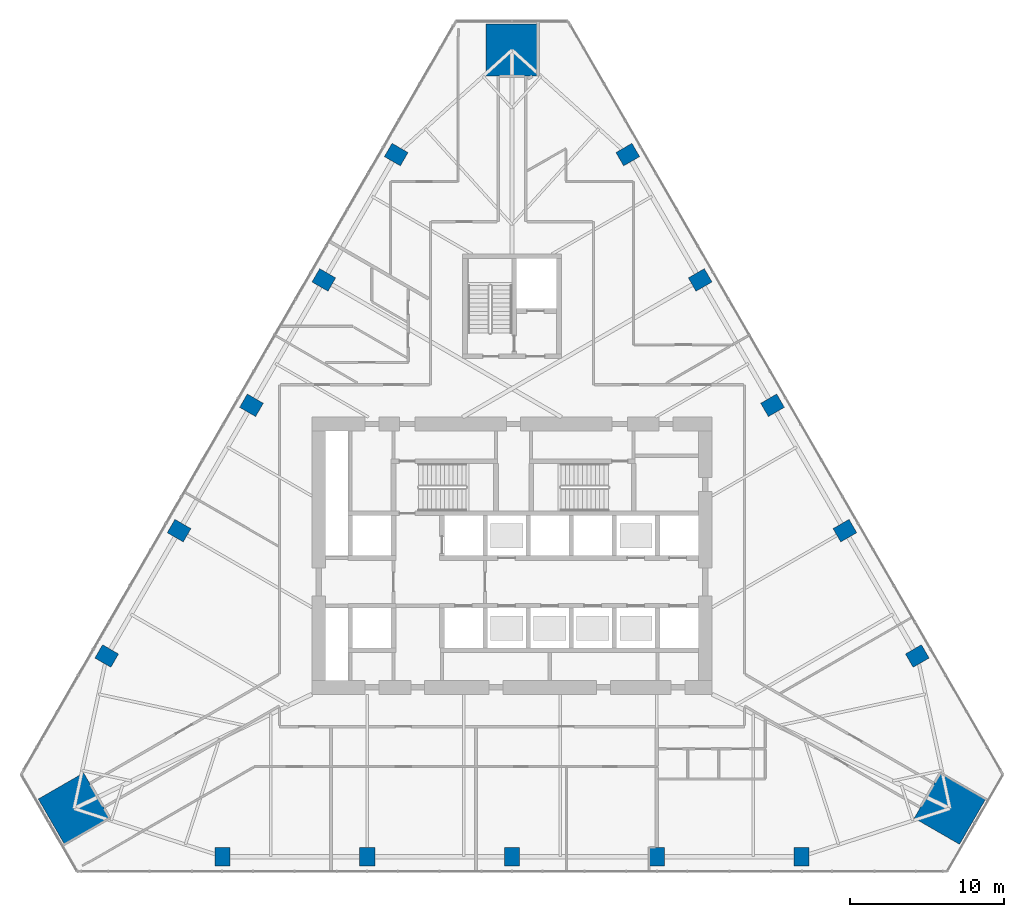
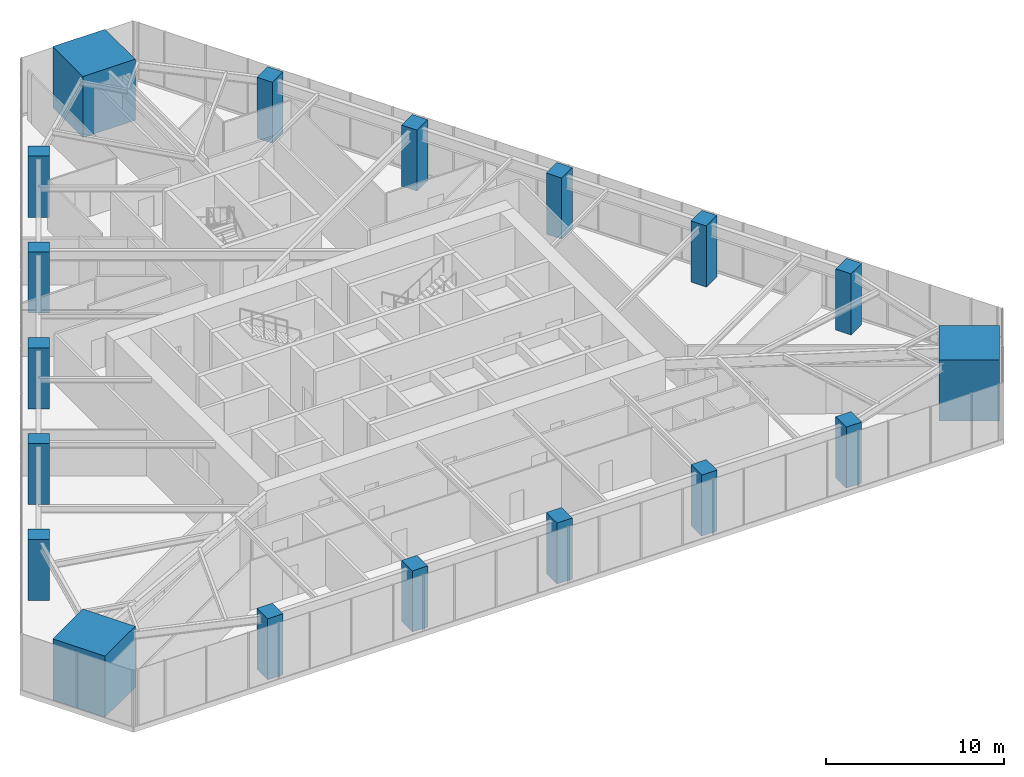
# One storey, part 1 of 21: 18 columns.
"""IFC4 building model written with IfcOpenShell, lengths in metres."""

from ifc_helpers import new_model, si_unit, direction, frame, origin, origin_2d, place, context, subcontext, project, spatial, rectangle, extrude, material, material_profile, profile_set, type_object, element, save


model = new_model("IFC4")

# Units and contexts
model_context = context("Model", 3, precision=1e-05, world=origin(), true_north=direction((0.0, 1.0)))
body_context = subcontext(model_context, "Body", "Model", "MODEL_VIEW")
ifc_project = project(units=[si_unit("LENGTHUNIT", "METRE"), si_unit("AREAUNIT", "SQUARE_METRE"), si_unit("VOLUMEUNIT", "CUBIC_METRE"), si_unit("PLANEANGLEUNIT", "RADIAN"), si_unit("MASSUNIT", "GRAM", prefix="KILO")], contexts=[model_context])

# Site, building, storey
site_placement = place(None, origin())
site = spatial("IfcSite", under=ifc_project, at=site_placement, CompositionType="ELEMENT")
building_placement = place(site_placement, origin())
building = spatial("IfcBuilding", under=site, at=building_placement, Name="Firuza Gate Tower and Library", CompositionType="ELEMENT")
storey_placement = place(building_placement, frame((0.0, 0.0, 94.60009765625)))
storey = spatial("IfcBuildingStorey", under=building, at=storey_placement, Name="L21", CompositionType="ELEMENT", Elevation=94.60009765625)

# Columns
ifc_material_1 = material(Name="Concrete C80/95", Category="concrete")
ifc_material_profile_1 = material_profile(ifc_material_1, rectangle(XDim=3.39990234375, YDim=3.39990234375, at=origin_2d()))
ifc_profile_set_1 = profile_set([ifc_material_profile_1], Name="Concrete C80/95")
column_type_1 = type_object("IfcColumnType", Name="Mega column 3400x3400 C80/95", PredefinedType="COLUMN", material=ifc_profile_set_1)
for number, where, z_axis, x_axis, name in (
    (1, (103.451171875, 58.57373046875, 0.0), (0.0, 0.0, 1.0), (0.5, 0.866025403784, 0.0), "Mega column SE L21"),
    (2, (75.0, 107.852783203125, 0.0), (0.0, 0.0, 1.0), (-1.0, 0.0, 0.0), "Mega column N L21"),
    (3, (46.548828125, 58.57373046875, 0.0), (0.0, 0.0, 1.0), (0.5, -0.866025403784, 0.0), "Mega column SW L21"),
):
    element("IfcColumn", number, at=place(storey_placement, frame(where, z_axis=z_axis, x_axis=x_axis)), inside=storey, type_object=column_type_1, Name=name, PredefinedType="COLUMN", context=body_context, shape_type="SweptSolid", body=[
        extrude(rectangle(XDim=3.39990234375, YDim=3.39990234375, at=origin_2d()), origin(), (0.0, 0.0, 1.0), 4.199951171875),
    ])
ifc_material_2 = material(Name="Concrete C60/75", Category="concrete")
ifc_material_profile_2 = material_profile(ifc_material_2, rectangle(XDim=1.0, YDim=1.199951171875, at=origin_2d()))
ifc_profile_set_2 = profile_set([ifc_material_profile_2], Name="Concrete C60/75")
column_type_2 = type_object("IfcColumnType", Name="Perimeter column 1000x1200 C60/75", PredefinedType="COLUMN", material=ifc_profile_set_2)
for number, where, z_axis, x_axis, name in (
    (4, (56.193359375, 55.4560546875, -0.00048828125), (0.0, 0.0, 1.0), (1.0, 0.0, 0.0), "Column S1 L21"),
    (5, (65.5966796875, 55.4560546875, -0.00048828125), (0.0, 0.0, 1.0), (1.0, 0.0, 0.0), "Column S2 L21"),
    (6, (75.0, 55.4560546875, -0.00048828125), (0.0, 0.0, 1.0), (1.0, 0.0, 0.0), "Column S3 L21"),
    (7, (84.4033203125, 55.4560546875, -0.00048828125), (0.0, 0.0, 1.0), (1.0, 0.0, 0.0), "Column S4 L21"),
    (8, (93.806640625, 55.4560546875, -0.00048828125), (0.0, 0.0, 1.0), (1.0, 0.0, 0.0), "Column S5 L21"),
    (9, (101.3291015625, 68.48486328125, -0.00048828125), (0.0, 0.0, 1.0), (-0.5, 0.866025403784, 0.0), "Column E1 L21"),
    (10, (96.627197265625, 76.62841796875, -0.00048828125), (0.0, 0.0, 1.0), (-0.5, 0.866025403784, 0.0), "Column E2 L21"),
    (11, (91.925537109375, 84.77197265625, -0.00048828125), (0.0, 0.0, 1.0), (-0.5, 0.866025403784, 0.0), "Column E3 L21"),
    (12, (87.223876953125, 92.91552734375, -0.00048828125), (0.0, 0.0, 1.0), (-0.5, 0.866025403784, 0.0), "Column E4 L21"),
    (13, (82.522216796875, 101.05908203125, -0.00048828125), (0.0, 0.0, 1.0), (-0.5, 0.866025403784, 0.0), "Column E5 L21"),
    (14, (67.477783203125, 101.05908203125, -0.00048828125), (0.0, 0.0, 1.0), (-0.5, -0.866025403784, 0.0), "Column W1 L21"),
    (15, (62.776123046875, 92.91552734375, -0.00048828125), (0.0, 0.0, 1.0), (-0.5, -0.866025403784, 0.0), "Column W2 L21"),
    (16, (58.074462890625, 84.77197265625, -0.00048828125), (0.0, 0.0, 1.0), (-0.5, -0.866025403784, 0.0), "Column W3 L21"),
    (17, (53.372802734375, 76.62841796875, -0.00048828125), (0.0, 0.0, 1.0), (-0.5, -0.866025403784, 0.0), "Column W4 L21"),
    (18, (48.6708984375, 68.48486328125, -0.00048828125), (0.0, 0.0, 1.0), (-0.5, -0.866025403784, 0.0), "Column W5 L21"),
):
    element("IfcColumn", number, at=place(storey_placement, frame(where, z_axis=z_axis, x_axis=x_axis)), inside=storey, type_object=column_type_2, Name=name, PredefinedType="COLUMN", context=body_context, shape_type="SweptSolid", body=[
        extrude(rectangle(XDim=1.0, YDim=1.199951171875, at=origin_2d()), origin(), (0.0, 0.0, 1.0), 4.200439453125),
    ])

save(model, "model.ifc")
